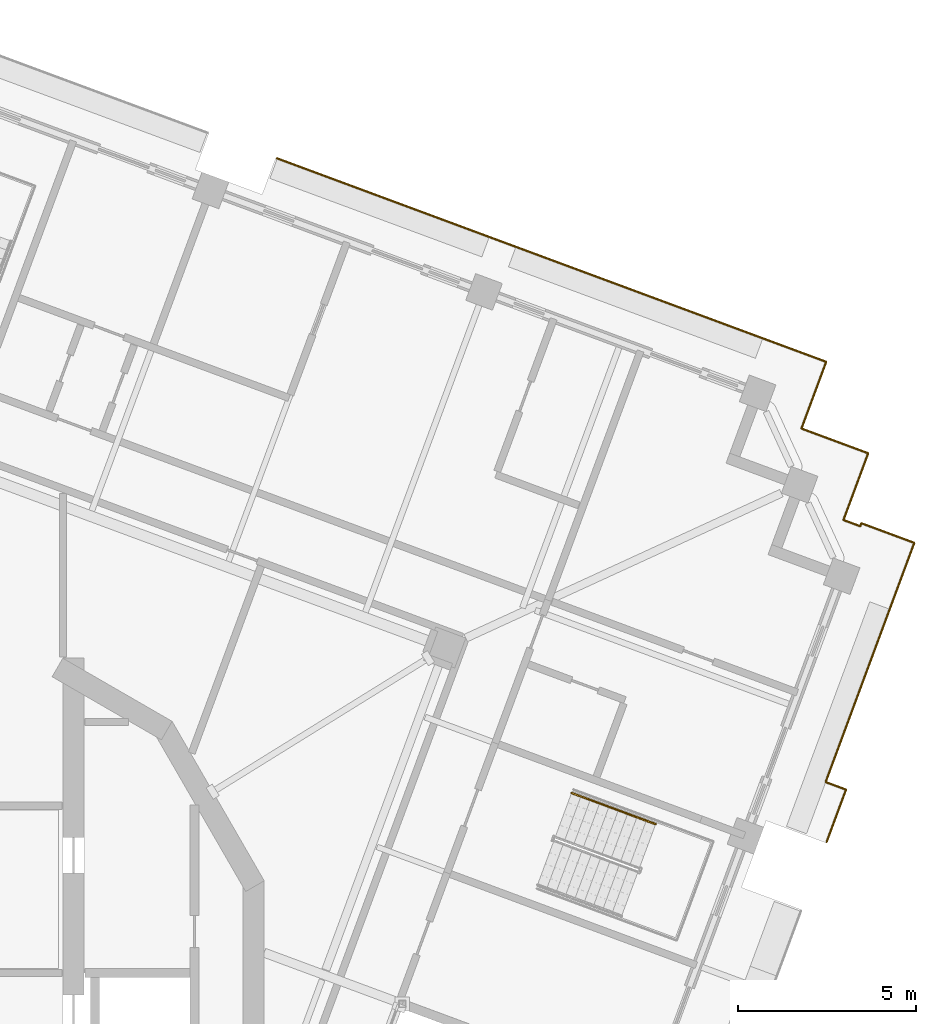
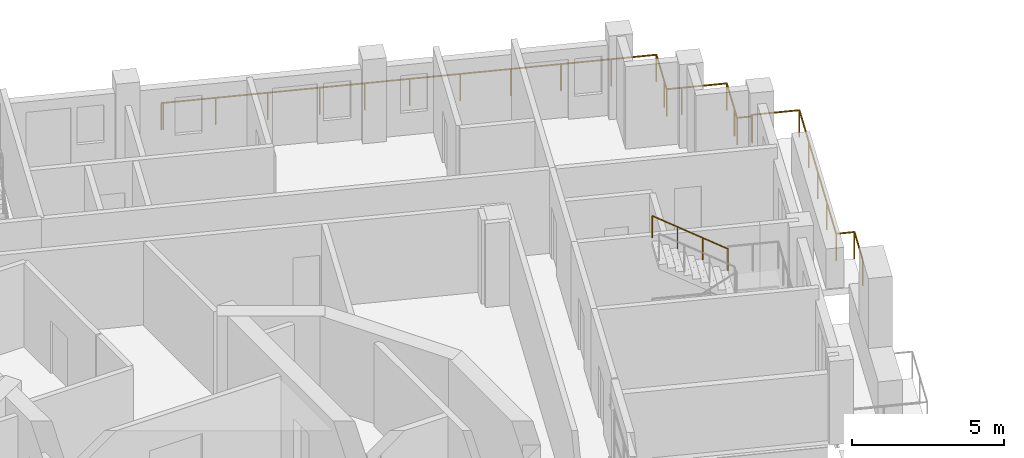
# One storey, part 18 of 19: 3 railings.
"""IFC4 building model written with IfcOpenShell, lengths in metres."""

import ifcopenshell
import ifcopenshell.guid

model = None  # the IFC model being written
_history = None  # IfcOwnerHistory: only IFC2X3 demands one
_inside = {}  # id of a spatial element -> (the spatial element, [elements in it])
_under = {}  # id of a project, library or spatial element -> (it, [spatial elements below it])
_declared = {}  # id of a project -> (the project, [libraries it declares])
_typed = {}  # id of a type object -> (the type object, [elements of that type])
_made_of = {}  # id of a material, layer set ... -> (it, [elements and type objects made of it])


def new_model(schema):
    """Start an empty IFC model of exactly this schema.

    Asked for "IFC4X3", IfcOpenShell would pick the latest addendum, in which some entities
    have other attributes; the version numbers below select the first issue.
    IFC2X3 requires an IfcOwnerHistory on every rooted entity: one is made here for all.
    """
    global model, _history
    if schema == "IFC4X3":
        model = ifcopenshell.file(schema_version=(4, 3, 0, 0))
    else:
        model = ifcopenshell.file(schema=schema)
    _inside.clear()
    _under.clear()
    _declared.clear()
    _typed.clear()
    _made_of.clear()
    _history = None
    if model.schema == "IFC2X3":
        org = make("IfcOrganization", Name="unknown")
        user = make(
            "IfcPersonAndOrganization",
            ThePerson=make("IfcPerson", FamilyName="unknown"),
            TheOrganization=org,
        )
        app = make(
            "IfcApplication",
            ApplicationDeveloper=org,
            Version="unknown",
            ApplicationFullName="unknown",
            ApplicationIdentifier="unknown",
        )
        _history = make(
            "IfcOwnerHistory",
            OwningUser=user,
            OwningApplication=app,
            ChangeAction="ADDED",
            CreationDate=0,
        )
    return model


def make(cls, **values):
    """One entity of the class cls with the attributes given. An attribute that is None is left unset."""
    return model.create_entity(
        cls, **{name: value for name, value in values.items() if value is not None}
    )


def rooted(cls, **values):
    """An entity with a GlobalId (a new one), such as an element, a storey or a relation."""
    return make(cls, GlobalId=ifcopenshell.guid.new(), OwnerHistory=_history, **values)


def si_unit(unit_type, name, prefix=None):
    """IfcSIUnit, for example si_unit("LENGTHUNIT", "METRE", prefix="MILLI")."""
    return make("IfcSIUnit", UnitType=unit_type, Prefix=prefix, Name=name)


def assignment(units):
    """IfcUnitAssignment: the units of a project."""
    return None if units is None else make("IfcUnitAssignment", Units=units)


def point(xyz):
    """IfcCartesianPoint."""
    return None if xyz is None else make("IfcCartesianPoint", Coordinates=xyz)


def direction(xyz):
    """IfcDirection."""
    return None if xyz is None else make("IfcDirection", DirectionRatios=xyz)


def frame(location, z_axis=None, x_axis=None):
    """IfcAxis2Placement3D, a coordinate frame: its origin and axes. An axis left out is left unset."""
    return make(
        "IfcAxis2Placement3D",
        Location=point(location),
        Axis=direction(z_axis),
        RefDirection=direction(x_axis),
    )


def frame_2d(location, x_axis=None):
    """IfcAxis2Placement2D, a coordinate frame in the plane: its origin and x axis."""
    return make(
        "IfcAxis2Placement2D", Location=point(location), RefDirection=direction(x_axis)
    )


def origin():
    """The frame at (0, 0, 0) with its axes left unset."""
    return frame((0.0, 0.0, 0.0))


def origin_2d():
    """The frame at (0, 0) in the plane with its x axis left unset."""
    return frame_2d((0.0, 0.0))


def place(relative_to, where):
    """IfcLocalPlacement: puts the frame where relative to a parent placement (None: the world)."""
    return make(
        "IfcLocalPlacement", PlacementRelTo=relative_to, RelativePlacement=where
    )


def context(
    kind, dimensions, precision=None, world=None, true_north=None, identifier=None
):
    """IfcGeometricRepresentationContext, for example the 3D "Model" context."""
    return make(
        "IfcGeometricRepresentationContext",
        ContextIdentifier=identifier,
        ContextType=kind,
        CoordinateSpaceDimension=dimensions,
        Precision=precision,
        WorldCoordinateSystem=world,
        TrueNorth=true_north,
    )


def subcontext(parent, identifier, kind, view, scale=None):
    """IfcGeometricRepresentationSubContext, for example "Body" below "Model"."""
    return make(
        "IfcGeometricRepresentationSubContext",
        ContextIdentifier=identifier,
        ContextType=kind,
        ParentContext=parent,
        TargetScale=scale,
        TargetView=view,
    )


def project(units=None, contexts=None):
    """IfcProject with its units and contexts."""
    return rooted(
        "IfcProject",
        Name="project",
        RepresentationContexts=contexts,
        UnitsInContext=assignment(units),
    )


def spatial(cls, under=None, at=None, **own):
    """A site, building, storey or space (cls), placed at a placement, below another one or the project."""
    s = rooted(cls, ObjectPlacement=at, **own)
    if under is not None:
        _under.setdefault(under.id(), (under, []))[1].append(s)
    return s


def profile(cls, at=None, kind="AREA", **sizes):
    """A parametric profile (cls). Its sizes go by their IFC names, for example OverallWidth=200.0."""
    return make(cls, ProfileType=kind, Position=at, **sizes)


def circle(**sizes):
    """IfcCircleProfileDef."""
    return profile("IfcCircleProfileDef", **sizes)


def extrude(swept, where, along, depth):
    """IfcExtrudedAreaSolid: the profile swept, set in the frame where, extruded along a direction by depth."""
    return make(
        "IfcExtrudedAreaSolid",
        SweptArea=swept,
        Position=where,
        ExtrudedDirection=direction(along),
        Depth=depth,
    )


def shape(context_of_items, identifier, shape_type, items):
    """IfcShapeRepresentation: the items that make up one representation, for example the "Body"."""
    return make(
        "IfcShapeRepresentation",
        ContextOfItems=context_of_items,
        RepresentationIdentifier=identifier,
        RepresentationType=shape_type,
        Items=items,
    )


def material(Name=None, Category=None):
    """IfcMaterial."""
    return make("IfcMaterial", Name=Name, Category=Category)


def made_of(thing, what):
    """Note that an element or type object is made of a material, layer set ...; save() writes the relation."""
    if what is not None:
        _made_of.setdefault(what.id(), (what, []))[1].append(thing)
    return thing


def type_object(cls, material=None, **own):
    """A type object (cls), such as IfcWallType, which elements share."""
    return made_of(rooted(cls, **own), material)


def element(
    cls,
    number,
    at=None,
    inside=None,
    cuts=None,
    type_object=None,
    material=None,
    context=None,
    identifier="Body",
    shape_type=None,
    held_by="IfcProductDefinitionShape",
    body=None,
    shapes=None,
    **own,
):
    """One element of the class cls, such as IfcWall. Its Tag is "e" and its number.

    at: its placement. inside: the storey or other place that contains it. cuts: it is an
    opening in that element (IfcRelVoidsElement). A single representation is given by context,
    identifier, shape_type and body (its items); several are given by shapes. held_by: the class
    of the entity that holds the representations. save() writes the other relations.
    """
    e = rooted(cls, Tag="e%d" % number, ObjectPlacement=at, **own)
    if body is not None:
        shapes = [shape(context, identifier, shape_type, body)]
    if shapes is not None:
        e.Representation = make(held_by, Representations=shapes)
    if inside is not None:
        _inside.setdefault(inside.id(), (inside, []))[1].append(e)
    if cuts is not None:
        rooted(
            "IfcRelVoidsElement", RelatingBuildingElement=cuts, RelatedOpeningElement=e
        )
    if type_object is not None:
        _typed.setdefault(type_object.id(), (type_object, []))[1].append(e)
    return made_of(e, material)


def aggregate(whole, parts):
    """IfcRelAggregates: a whole, such as a stair, and the parts it consists of."""
    return rooted("IfcRelAggregates", RelatingObject=whole, RelatedObjects=parts)


def save(model, path):
    """Write the relations noted so far, then the file.

    IfcRelAggregates (storeys below a building ...), IfcRelContainedInSpatialStructure (elements
    in a storey), IfcRelDefinesByType, IfcRelAssociatesMaterial and IfcRelDeclares: one each for
    every whole, place, type object, material and project.
    """
    for whole, parts in _under.values():
        aggregate(whole, parts)
    for where, things in _inside.values():
        rooted(
            "IfcRelContainedInSpatialStructure",
            RelatedElements=things,
            RelatingStructure=where,
        )
    for kind, things in _typed.values():
        rooted("IfcRelDefinesByType", RelatedObjects=things, RelatingType=kind)
    for what, things in _made_of.values():
        rooted("IfcRelAssociatesMaterial", RelatedObjects=things, RelatingMaterial=what)
    for by, libraries in _declared.values():
        rooted("IfcRelDeclares", RelatingContext=by, RelatedDefinitions=libraries)
    model.write(path)


model = new_model("IFC4")

# Units and contexts
model_context = context("Model", 3, precision=1e-05, world=origin(), true_north=direction((0.0, 1.0)))
body_context = subcontext(model_context, "Body", "Model", "MODEL_VIEW")
ifc_project = project(units=[si_unit("LENGTHUNIT", "METRE"), si_unit("AREAUNIT", "SQUARE_METRE"), si_unit("VOLUMEUNIT", "CUBIC_METRE"), si_unit("PLANEANGLEUNIT", "RADIAN"), si_unit("MASSUNIT", "GRAM", prefix="KILO")], contexts=[model_context])

# Site, building, storey
site_placement = place(None, origin())
site = spatial("IfcSite", under=ifc_project, at=site_placement, CompositionType="ELEMENT")
building_placement = place(site_placement, origin())
building = spatial("IfcBuilding", under=site, at=building_placement, Name="Cantera Rosa Tower", CompositionType="ELEMENT")
storey_placement = place(building_placement, frame((0.0, 0.0, 334.89990234375)))
storey = spatial("IfcBuildingStorey", under=building, at=storey_placement, Name="L75", CompositionType="ELEMENT", Elevation=334.89990234375)

# Railings
ifc_material_1 = material(Name="Stainless steel and laminated glass", Category="steel")
railing_type_1 = type_object("IfcRailingType", Name="GUARD 1100", PredefinedType="BALUSTRADE", material=ifc_material_1)
railing_1_placement = place(storey_placement, frame((26.408447265625, 12.555908203125, 0.0)))
element("IfcRailing", 1, at=railing_1_placement, inside=storey, type_object=railing_type_1, Name="GUARD L75-9", PredefinedType="BALUSTRADE", context=body_context, shape_type="SweptSolid", body=[
    extrude(circle(Radius=0.030029296875, at=origin_2d()), frame((0.0, 0.0, 1.070068359375), z_axis=(0.348733712021, 0.937221851058, 0.0), x_axis=(-0.937221851058, 0.348733712021, 0.0)), (0.0, 0.0, 1.0), 0.089599609375),
    extrude(circle(Radius=0.030029296875, at=origin_2d()), frame((0.03125, 0.083984375, 1.070068359375), z_axis=(0.937704286129, -0.347434413632, 0.0), x_axis=(0.347434413632, 0.937704286129, 0.0)), (0.0, 0.0, 1.0), 1.589599609375),
    extrude(circle(Radius=0.030029296875, at=origin_2d()), frame((1.521728515625, -0.46826171875, 1.070068359375), z_axis=(-0.347478495795, -0.937687951805, 0.0), x_axis=(0.937687951805, -0.347478495795, 0.0)), (0.0, 0.0, 1.0), 7.16943359375),
    extrude(circle(Radius=0.030029296875, at=origin_2d()), frame((-0.969482421875, -7.19091796875, 1.070068359375), z_axis=(0.937734294908, -0.347353411029, 0.0), x_axis=(0.347353411029, 0.937734294908, 0.0)), (0.0, 0.0, 1.0), 0.61083984375),
    extrude(circle(Radius=0.030029296875, at=origin_2d()), frame((-0.396728515625, -7.403076171875, 1.070068359375), z_axis=(-0.347491582396, -0.937683102207, 0.0), x_axis=(0.937683102207, -0.347491582396, 0.0)), (0.0, 0.0, 1.0), 1.5703125),
    extrude(circle(Radius=0.02490234375, at=origin_2d()), origin(), (0.0, 0.0, 1.0), 1.0400390625),
    extrude(circle(Radius=0.02490234375, at=origin_2d()), frame((0.03125, 0.083984375, 0.0)), (0.0, 0.0, 1.0), 1.0400390625),
    extrude(circle(Radius=0.02490234375, at=origin_2d()), frame((1.521728515625, -0.46826171875, 0.0)), (0.0, 0.0, 1.0), 1.0400390625),
    extrude(circle(Radius=0.02490234375, at=origin_2d()), frame((0.89892578125, -2.14892578125, 0.0)), (0.0, 0.0, 1.0), 1.0400390625),
    extrude(circle(Radius=0.02490234375, at=origin_2d()), frame((0.276123046875, -3.82958984375, 0.0)), (0.0, 0.0, 1.0), 1.0400390625),
    extrude(circle(Radius=0.02490234375, at=origin_2d()), frame((-0.3466796875, -5.51025390625, 0.0)), (0.0, 0.0, 1.0), 1.0400390625),
    extrude(circle(Radius=0.02490234375, at=origin_2d()), frame((-0.969482421875, -7.19091796875, 0.0)), (0.0, 0.0, 1.0), 1.0400390625),
    extrude(circle(Radius=0.02490234375, at=origin_2d()), frame((-0.396728515625, -7.403076171875, 0.0)), (0.0, 0.0, 1.0), 1.0400390625),
    extrude(circle(Radius=0.02490234375, at=origin_2d()), frame((-0.9423828125, -8.87548828125, 0.0)), (0.0, 0.0, 1.0), 1.0400390625),
])
railing_2_placement = place(storey_placement, frame((10.010498046875, 22.8984375, 0.0)))
element("IfcRailing", 2, at=railing_2_placement, inside=storey, type_object=railing_type_1, Name="GUARD L75-10", PredefinedType="BALUSTRADE", context=body_context, shape_type="SweptSolid", body=[
    extrude(circle(Radius=0.030029296875, at=origin_2d()), frame((0.0, 0.0, 1.070068359375), z_axis=(0.937327749542, -0.348448977525, 0.0), x_axis=(0.348448977525, 0.937327749542, 0.0)), (0.0, 0.0, 1.0), 0.070068359375),
    extrude(circle(Radius=0.030029296875, at=origin_2d()), frame((0.065673828125, -0.0244140625, 1.070068359375), z_axis=(0.937688147358, -0.347477968085, 0.0), x_axis=(0.347477968085, 0.937688147358, 0.0)), (0.0, 0.0, 1.0), 5.199951171875),
    extrude(circle(Radius=0.030029296875, at=origin_2d()), frame((4.941650390625, -1.831298828125, 1.070068359375), z_axis=(0.937680024402, -0.347499887537, 0.0), x_axis=(0.347499887537, 0.937680024402, 0.0)), (0.0, 0.0, 1.0), 3.0),
    extrude(circle(Radius=0.030029296875, at=origin_2d()), frame((7.754638671875, -2.873779296875, 1.070068359375), z_axis=(0.937686328856, -0.347482875373, 0.0), x_axis=(0.347482875373, 0.937686328856, 0.0)), (0.0, 0.0, 1.0), 6.699951171875),
    extrude(circle(Radius=0.030029296875, at=origin_2d()), frame((14.037109375, -5.201904296875, 1.070068359375), z_axis=(0.93769967459, -0.347446859641, 0.0), x_axis=(0.347446859641, 0.93769967459, 0.0)), (0.0, 0.0, 1.0), 1.500244140625),
    extrude(circle(Radius=0.030029296875, at=origin_2d()), frame((15.44384765625, -5.72314453125, 1.070068359375), z_axis=(-0.347499887537, -0.937680024402, 0.0), x_axis=(0.937680024402, -0.347499887537, 0.0)), (0.0, 0.0, 1.0), 1.5),
    extrude(circle(Radius=0.030029296875, at=origin_2d()), frame((14.922607421875, -7.129638671875, 1.070068359375), z_axis=(-0.347696042931, -0.937607306781, 0.0), x_axis=(0.937607306781, -0.347696042931, 0.0)), (0.0, 0.0, 1.0), 0.5),
    extrude(circle(Radius=0.030029296875, at=origin_2d()), frame((14.748779296875, -7.598388671875, 1.070068359375), z_axis=(0.937607306781, -0.347696042931, 0.0), x_axis=(0.347696042931, 0.937607306781, 0.0)), (0.0, 0.0, 1.0), 0.5),
    extrude(circle(Radius=0.030029296875, at=origin_2d()), frame((15.217529296875, -7.772216796875, 1.070068359375), z_axis=(0.93769967459, -0.347446859641, 0.0), x_axis=(0.347446859641, 0.93769967459, 0.0)), (0.0, 0.0, 1.0), 1.500244140625),
    extrude(circle(Radius=0.030029296875, at=origin_2d()), frame((16.624267578125, -8.29345703125, 1.070068359375), z_axis=(-0.347499887537, -0.937680024402, 0.0), x_axis=(0.937680024402, -0.347499887537, 0.0)), (0.0, 0.0, 1.0), 1.5),
    extrude(circle(Radius=0.030029296875, at=origin_2d()), frame((16.10302734375, -9.699951171875, 1.070068359375), z_axis=(-0.347696042931, -0.937607306781, 0.0), x_axis=(0.937607306781, -0.347696042931, 0.0)), (0.0, 0.0, 1.0), 0.5),
    extrude(circle(Radius=0.030029296875, at=origin_2d()), frame((15.92919921875, -10.168701171875, 1.070068359375), z_axis=(0.937607306781, -0.347696042931, 0.0), x_axis=(0.347696042931, 0.937607306781, 0.0)), (0.0, 0.0, 1.0), 0.5),
    extrude(circle(Radius=0.02490234375, at=origin_2d()), origin(), (0.0, 0.0, 1.0), 1.0400390625),
    extrude(circle(Radius=0.02490234375, at=origin_2d()), frame((0.065673828125, -0.0244140625, 0.0)), (0.0, 0.0, 1.0), 1.0400390625),
    extrude(circle(Radius=0.02490234375, at=origin_2d()), frame((1.69091796875, -0.626708984375, 0.0)), (0.0, 0.0, 1.0), 1.0400390625),
    extrude(circle(Radius=0.02490234375, at=origin_2d()), frame((3.31640625, -1.22900390625, 0.0)), (0.0, 0.0, 1.0), 1.0400390625),
    extrude(circle(Radius=0.02490234375, at=origin_2d()), frame((4.941650390625, -1.831298828125, 0.0)), (0.0, 0.0, 1.0), 1.0400390625),
    extrude(circle(Radius=0.02490234375, at=origin_2d()), frame((6.34814453125, -2.3525390625, 0.0)), (0.0, 0.0, 1.0), 1.0400390625),
    extrude(circle(Radius=0.02490234375, at=origin_2d()), frame((7.754638671875, -2.873779296875, 0.0)), (0.0, 0.0, 1.0), 1.0400390625),
    extrude(circle(Radius=0.02490234375, at=origin_2d()), frame((9.3251953125, -3.455810546875, 0.0)), (0.0, 0.0, 1.0), 1.0400390625),
    extrude(circle(Radius=0.02490234375, at=origin_2d()), frame((10.89599609375, -4.037841796875, 0.0)), (0.0, 0.0, 1.0), 1.0400390625),
    extrude(circle(Radius=0.02490234375, at=origin_2d()), frame((12.466552734375, -4.619873046875, 0.0)), (0.0, 0.0, 1.0), 1.0400390625),
    extrude(circle(Radius=0.02490234375, at=origin_2d()), frame((14.037109375, -5.201904296875, 0.0)), (0.0, 0.0, 1.0), 1.0400390625),
    extrude(circle(Radius=0.02490234375, at=origin_2d()), frame((15.44384765625, -5.72314453125, 0.0)), (0.0, 0.0, 1.0), 1.0400390625),
    extrude(circle(Radius=0.02490234375, at=origin_2d()), frame((14.922607421875, -7.129638671875, 0.0)), (0.0, 0.0, 1.0), 1.0400390625),
    extrude(circle(Radius=0.02490234375, at=origin_2d()), frame((14.748779296875, -7.598388671875, 0.0)), (0.0, 0.0, 1.0), 1.0400390625),
    extrude(circle(Radius=0.02490234375, at=origin_2d()), frame((15.217529296875, -7.772216796875, 0.0)), (0.0, 0.0, 1.0), 1.0400390625),
    extrude(circle(Radius=0.02490234375, at=origin_2d()), frame((16.624267578125, -8.29345703125, 0.0)), (0.0, 0.0, 1.0), 1.0400390625),
    extrude(circle(Radius=0.02490234375, at=origin_2d()), frame((16.10302734375, -9.699951171875, 0.0)), (0.0, 0.0, 1.0), 1.0400390625),
    extrude(circle(Radius=0.02490234375, at=origin_2d()), frame((15.92919921875, -10.168701171875, 0.0)), (0.0, 0.0, 1.0), 1.0400390625),
    extrude(circle(Radius=0.02490234375, at=origin_2d()), frame((16.39794921875, -10.342529296875, 0.0)), (0.0, 0.0, 1.0), 1.0400390625),
])
ifc_material_2 = material(Name="Steel S355J2 (EN 10025-2)", Category="steel")
railing_type_2 = type_object("IfcRailingType", Name="STAIR HANDRAIL 900", PredefinedType="HANDRAIL", material=ifc_material_2)
railing_3_placement = place(storey_placement, frame((20.660400390625, 4.181396484375, 1.97998046875)))
element("IfcRailing", 3, at=railing_3_placement, inside=storey, type_object=railing_type_2, Name="L75 ST-61 stair handrail 2", PredefinedType="HANDRAIL", context=body_context, shape_type="SweptSolid", body=[
    extrude(circle(Radius=0.02392578125, at=origin_2d()), frame((0.0, 0.0, 0.8759765625), z_axis=(-0.788747577403, 0.292306804437, 0.540771662738), x_axis=(-0.347500508527, -0.937679794265, 0.0)), (0.0, 0.0, 1.0), 2.995849609375),
    extrude(circle(Radius=0.02099609375, at=origin_2d()), origin(), (0.0, 0.0, 1.0), 0.851806640625),
    extrude(circle(Radius=0.02099609375, at=origin_2d()), frame((-0.78759765625, 0.2919921875, 0.5400390625)), (0.0, 0.0, 1.0), 0.851806640625),
    extrude(circle(Radius=0.02099609375, at=origin_2d()), frame((-1.575439453125, 0.583740234375, 1.080078125)), (0.0, 0.0, 1.0), 0.851806640625),
    extrude(circle(Radius=0.02099609375, at=origin_2d()), frame((-2.363037109375, 0.875732421875, 1.6201171875)), (0.0, 0.0, 1.0), 0.851806640625),
])

save(model, "model.ifc")
